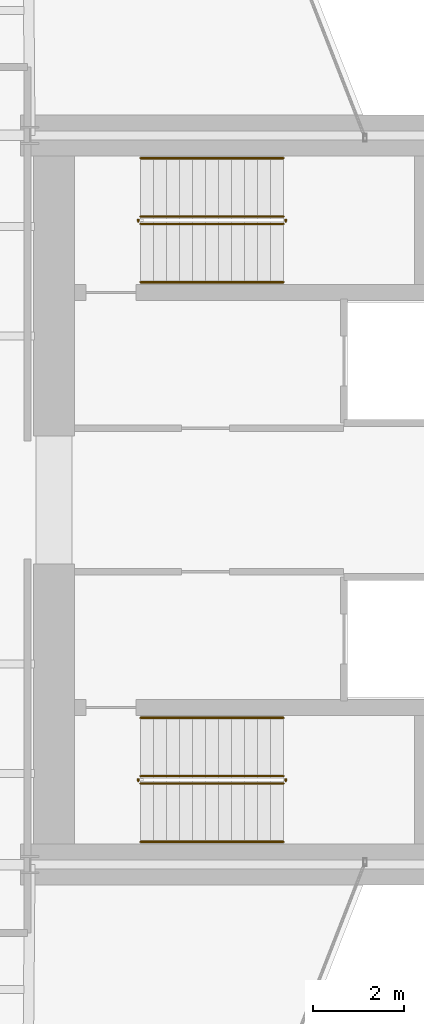
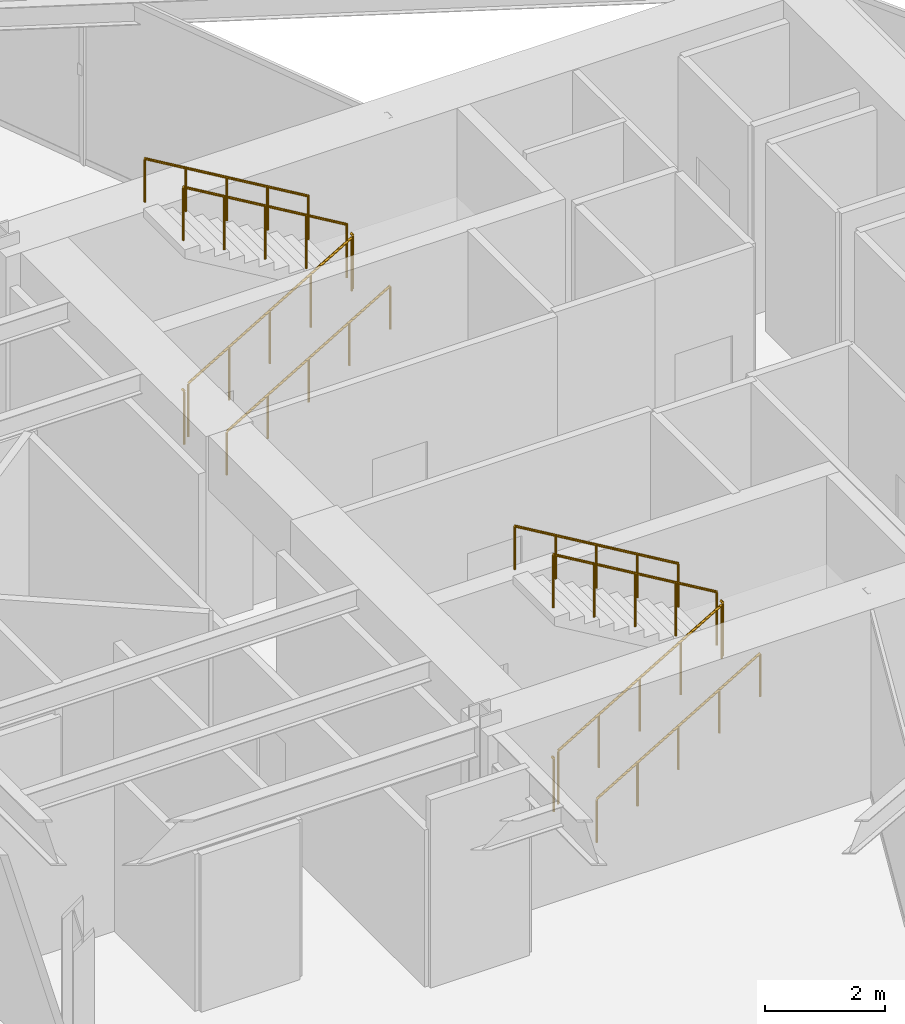
# One storey, part 29 of 29: 12 railings.
"""IFC4 building model written with IfcOpenShell, lengths in metres."""

from ifc_helpers import new_model, si_unit, direction, frame, origin, origin_2d, place, context, subcontext, project, spatial, circle, extrude, material, type_object, element, save


model = new_model("IFC4")

# Units and contexts
model_context = context("Model", 3, precision=1e-05, world=origin(), true_north=direction((0.0, 1.0)))
body_context = subcontext(model_context, "Body", "Model", "MODEL_VIEW")
ifc_project = project(units=[si_unit("LENGTHUNIT", "METRE"), si_unit("AREAUNIT", "SQUARE_METRE"), si_unit("VOLUMEUNIT", "CUBIC_METRE"), si_unit("PLANEANGLEUNIT", "RADIAN"), si_unit("MASSUNIT", "GRAM", prefix="KILO")], contexts=[model_context])

# Site, building, storey
site_placement = place(None, origin())
site = spatial("IfcSite", under=ifc_project, at=site_placement, CompositionType="ELEMENT")
building_placement = place(site_placement, origin())
building = spatial("IfcBuilding", under=site, at=building_placement, Name="Veymaron Broadcast Tower", CompositionType="ELEMENT")
storey_placement = place(building_placement, frame((0.0, 0.0, 58.050048828125)))
storey = spatial("IfcBuildingStorey", under=building, at=storey_placement, Name="L12", CompositionType="ELEMENT", Elevation=58.050048828125)

# Railings
ifc_material_1 = material(Name="Brushed stainless steel AISI 304", Category="steel")
railing_type_1 = type_object("IfcRailingType", Name="RAIL-STAIR-HR", PredefinedType="HANDRAIL", material=ifc_material_1)
railing_1_placement = place(storey_placement, frame((41.429931640625, 28.780029296875, 0.168701171875)))
element("IfcRailing", 1, at=railing_1_placement, inside=storey, type_object=railing_type_1, Name="L12 ST1 stair handrail 1", PredefinedType="HANDRAIL", context=body_context, shape_type="SweptSolid", body=[
    extrude(circle(Radius=0.02392578125, at=origin_2d()), frame((0.0, 0.0, 0.8759765625), z_axis=(0.860481960309, 0.0, 0.509480908359), x_axis=(0.0, 1.0, 0.0)), (0.0, 0.0, 1.0), 3.643310546875),
    extrude(circle(Radius=0.02099609375, at=origin_2d()), origin(), (0.0, 0.0, 1.0), 0.851806640625),
    extrude(circle(Radius=0.02099609375, at=origin_2d()), frame((0.78369140625, 0.0, 0.464111328125)), (0.0, 0.0, 1.0), 0.851806640625),
    extrude(circle(Radius=0.02099609375, at=origin_2d()), frame((1.5673828125, 0.0, 0.92822265625)), (0.0, 0.0, 1.0), 0.851806640625),
    extrude(circle(Radius=0.02099609375, at=origin_2d()), frame((2.351318359375, 0.0, 1.39208984375)), (0.0, 0.0, 1.0), 0.851806640625),
    extrude(circle(Radius=0.02099609375, at=origin_2d()), frame((3.135009765625, 0.0, 1.856201171875)), (0.0, 0.0, 1.0), 0.851806640625),
])
railing_2_placement = place(storey_placement, frame((44.56494140625, 31.5, 2.193603515625)))
element("IfcRailing", 2, at=railing_2_placement, inside=storey, type_object=railing_type_1, Name="L12 ST1 stair handrail 2", PredefinedType="HANDRAIL", context=body_context, shape_type="SweptSolid", body=[
    extrude(circle(Radius=0.02392578125, at=origin_2d()), frame((0.0, 0.0, 0.8759765625), z_axis=(-0.860452582533, 0.0, 0.509530522356), x_axis=(0.0, -1.0, 0.0)), (0.0, 0.0, 1.0), 3.6435546875),
    extrude(circle(Radius=0.02099609375, at=origin_2d()), origin(), (0.0, 0.0, 1.0), 0.851806640625),
    extrude(circle(Radius=0.02099609375, at=origin_2d()), frame((-0.78369140625, 0.0, 0.464111328125)), (0.0, 0.0, 1.0), 0.851806640625),
    extrude(circle(Radius=0.02099609375, at=origin_2d()), frame((-1.5673828125, 0.0, 0.92822265625)), (0.0, 0.0, 1.0), 0.851806640625),
    extrude(circle(Radius=0.02099609375, at=origin_2d()), frame((-2.351318359375, 0.0, 1.392333984375)), (0.0, 0.0, 1.0), 0.851806640625),
    extrude(circle(Radius=0.02099609375, at=origin_2d()), frame((-3.135009765625, 0.0, 1.8564453125)), (0.0, 0.0, 1.0), 0.851806640625),
])
railing_3_placement = place(storey_placement, frame((41.429931640625, 16.5, 0.168701171875)))
element("IfcRailing", 3, at=railing_3_placement, inside=storey, type_object=railing_type_1, Name="L12 ST2 stair handrail 1", PredefinedType="HANDRAIL", context=body_context, shape_type="SweptSolid", body=[
    extrude(circle(Radius=0.02392578125, at=origin_2d()), frame((0.0, 0.0, 0.8759765625), z_axis=(0.860481960309, 0.0, 0.509480908359), x_axis=(0.0, 1.0, 0.0)), (0.0, 0.0, 1.0), 3.643310546875),
    extrude(circle(Radius=0.02099609375, at=origin_2d()), origin(), (0.0, 0.0, 1.0), 0.851806640625),
    extrude(circle(Radius=0.02099609375, at=origin_2d()), frame((0.78369140625, 0.0, 0.464111328125)), (0.0, 0.0, 1.0), 0.851806640625),
    extrude(circle(Radius=0.02099609375, at=origin_2d()), frame((1.5673828125, 0.0, 0.92822265625)), (0.0, 0.0, 1.0), 0.851806640625),
    extrude(circle(Radius=0.02099609375, at=origin_2d()), frame((2.351318359375, 0.0, 1.39208984375)), (0.0, 0.0, 1.0), 0.851806640625),
    extrude(circle(Radius=0.02099609375, at=origin_2d()), frame((3.135009765625, 0.0, 1.856201171875)), (0.0, 0.0, 1.0), 0.851806640625),
])
railing_4_placement = place(storey_placement, frame((44.56494140625, 19.219970703125, 2.193603515625)))
element("IfcRailing", 4, at=railing_4_placement, inside=storey, type_object=railing_type_1, Name="L12 ST2 stair handrail 2", PredefinedType="HANDRAIL", context=body_context, shape_type="SweptSolid", body=[
    extrude(circle(Radius=0.02392578125, at=origin_2d()), frame((0.0, 0.0, 0.8759765625), z_axis=(-0.860452582533, 0.0, 0.509530522356), x_axis=(0.0, -1.0, 0.0)), (0.0, 0.0, 1.0), 3.6435546875),
    extrude(circle(Radius=0.02099609375, at=origin_2d()), origin(), (0.0, 0.0, 1.0), 0.851806640625),
    extrude(circle(Radius=0.02099609375, at=origin_2d()), frame((-0.78369140625, 0.0, 0.464111328125)), (0.0, 0.0, 1.0), 0.851806640625),
    extrude(circle(Radius=0.02099609375, at=origin_2d()), frame((-1.5673828125, 0.0, 0.92822265625)), (0.0, 0.0, 1.0), 0.851806640625),
    extrude(circle(Radius=0.02099609375, at=origin_2d()), frame((-2.351318359375, 0.0, 1.392333984375)), (0.0, 0.0, 1.0), 0.851806640625),
    extrude(circle(Radius=0.02099609375, at=origin_2d()), frame((-3.135009765625, 0.0, 1.8564453125)), (0.0, 0.0, 1.0), 0.851806640625),
])
ifc_material_2 = material(Name="Painted galvanized steel balustrade", Category="steel")
railing_type_2 = type_object("IfcRailingType", Name="RAIL-WELL-GRD", PredefinedType="GUARDRAIL", material=ifc_material_2)
railing_5_placement = place(storey_placement, frame((41.429931640625, 30.06005859375, 0.168701171875)))
element("IfcRailing", 5, at=railing_5_placement, inside=storey, type_object=railing_type_2, Name="L12 ST1 stair guard 1", PredefinedType="GUARDRAIL", context=body_context, shape_type="SweptSolid", body=[
    extrude(circle(Radius=0.02392578125, at=origin_2d()), frame((0.0, 0.0, 1.076171875), z_axis=(0.860481960309, 0.0, 0.509480908359), x_axis=(0.0, 1.0, 0.0)), (0.0, 0.0, 1.0), 3.643310546875),
    extrude(circle(Radius=0.02099609375, at=origin_2d()), origin(), (0.0, 0.0, 1.0), 1.052001953125),
    extrude(circle(Radius=0.02099609375, at=origin_2d()), frame((0.78369140625, 0.0, 0.464111328125)), (0.0, 0.0, 1.0), 1.052001953125),
    extrude(circle(Radius=0.02099609375, at=origin_2d()), frame((1.5673828125, 0.0, 0.92822265625)), (0.0, 0.0, 1.0), 1.052001953125),
    extrude(circle(Radius=0.02099609375, at=origin_2d()), frame((2.351318359375, 0.0, 1.39208984375)), (0.0, 0.0, 1.0), 1.052001953125),
    extrude(circle(Radius=0.02099609375, at=origin_2d()), frame((3.135009765625, 0.0, 1.856201171875)), (0.0, 0.0, 1.0), 1.052001953125),
])
railing_6_placement = place(storey_placement, frame((44.614990234375, 30.110107421875, 2.02490234375)))
element("IfcRailing", 6, at=railing_6_placement, inside=storey, type_object=railing_type_2, Name="L12 ST1 stair guard 2", PredefinedType="GUARDRAIL", context=body_context, shape_type="SweptSolid", body=[
    extrude(circle(Radius=0.02392578125, at=origin_2d()), frame((0.0, 0.0, 1.076171875), z_axis=(0.0, 1.0, 0.0), x_axis=(-1.0, 0.0, 0.0)), (0.0, 0.0, 1.0), 0.059814453125),
    extrude(circle(Radius=0.02099609375, at=origin_2d()), origin(), (0.0, 0.0, 1.0), 1.052001953125),
])
railing_7_placement = place(storey_placement, frame((44.56494140625, 30.219970703125, 2.193603515625)))
element("IfcRailing", 7, at=railing_7_placement, inside=storey, type_object=railing_type_2, Name="L12 ST1 stair guard 3", PredefinedType="GUARDRAIL", context=body_context, shape_type="SweptSolid", body=[
    extrude(circle(Radius=0.02392578125, at=origin_2d()), frame((0.0, 0.0, 1.076171875), z_axis=(-0.860452582533, 0.0, 0.509530522356), x_axis=(0.0, -1.0, 0.0)), (0.0, 0.0, 1.0), 3.6435546875),
    extrude(circle(Radius=0.02099609375, at=origin_2d()), origin(), (0.0, 0.0, 1.0), 1.052001953125),
    extrude(circle(Radius=0.02099609375, at=origin_2d()), frame((-0.78369140625, 0.0, 0.464111328125)), (0.0, 0.0, 1.0), 1.052001953125),
    extrude(circle(Radius=0.02099609375, at=origin_2d()), frame((-1.5673828125, 0.0, 0.92822265625)), (0.0, 0.0, 1.0), 1.052001953125),
    extrude(circle(Radius=0.02099609375, at=origin_2d()), frame((-2.351318359375, 0.0, 1.392333984375)), (0.0, 0.0, 1.0), 1.052001953125),
    extrude(circle(Radius=0.02099609375, at=origin_2d()), frame((-3.135009765625, 0.0, 1.8564453125)), (0.0, 0.0, 1.0), 1.052001953125),
])
railing_8_placement = place(storey_placement, frame((41.3798828125, 30.110107421875, 0.0)))
element("IfcRailing", 8, at=railing_8_placement, inside=storey, type_object=railing_type_2, Name="L12 ST1 stair guard 4", PredefinedType="GUARDRAIL", context=body_context, shape_type="SweptSolid", body=[
    extrude(circle(Radius=0.02392578125, at=origin_2d()), frame((0.0, 0.0, 1.076171875), z_axis=(0.0, 1.0, 0.0), x_axis=(-1.0, 0.0, 0.0)), (0.0, 0.0, 1.0), 0.059814453125),
    extrude(circle(Radius=0.02099609375, at=origin_2d()), origin(), (0.0, 0.0, 1.0), 1.052001953125),
])
railing_9_placement = place(storey_placement, frame((41.429931640625, 17.780029296875, 0.168701171875)))
element("IfcRailing", 9, at=railing_9_placement, inside=storey, type_object=railing_type_2, Name="L12 ST2 stair guard 1", PredefinedType="GUARDRAIL", context=body_context, shape_type="SweptSolid", body=[
    extrude(circle(Radius=0.02392578125, at=origin_2d()), frame((0.0, 0.0, 1.076171875), z_axis=(0.860481960309, 0.0, 0.509480908359), x_axis=(0.0, 1.0, 0.0)), (0.0, 0.0, 1.0), 3.643310546875),
    extrude(circle(Radius=0.02099609375, at=origin_2d()), origin(), (0.0, 0.0, 1.0), 1.052001953125),
    extrude(circle(Radius=0.02099609375, at=origin_2d()), frame((0.78369140625, 0.0, 0.464111328125)), (0.0, 0.0, 1.0), 1.052001953125),
    extrude(circle(Radius=0.02099609375, at=origin_2d()), frame((1.5673828125, 0.0, 0.92822265625)), (0.0, 0.0, 1.0), 1.052001953125),
    extrude(circle(Radius=0.02099609375, at=origin_2d()), frame((2.351318359375, 0.0, 1.39208984375)), (0.0, 0.0, 1.0), 1.052001953125),
    extrude(circle(Radius=0.02099609375, at=origin_2d()), frame((3.135009765625, 0.0, 1.856201171875)), (0.0, 0.0, 1.0), 1.052001953125),
])
railing_10_placement = place(storey_placement, frame((44.614990234375, 17.830078125, 2.02490234375)))
element("IfcRailing", 10, at=railing_10_placement, inside=storey, type_object=railing_type_2, Name="L12 ST2 stair guard 2", PredefinedType="GUARDRAIL", context=body_context, shape_type="SweptSolid", body=[
    extrude(circle(Radius=0.02392578125, at=origin_2d()), frame((0.0, 0.0, 1.076171875), z_axis=(0.0, 1.0, 0.0), x_axis=(-1.0, 0.0, 0.0)), (0.0, 0.0, 1.0), 0.059814453125),
    extrude(circle(Radius=0.02099609375, at=origin_2d()), origin(), (0.0, 0.0, 1.0), 1.052001953125),
])
railing_11_placement = place(storey_placement, frame((44.56494140625, 17.93994140625, 2.193603515625)))
element("IfcRailing", 11, at=railing_11_placement, inside=storey, type_object=railing_type_2, Name="L12 ST2 stair guard 3", PredefinedType="GUARDRAIL", context=body_context, shape_type="SweptSolid", body=[
    extrude(circle(Radius=0.02392578125, at=origin_2d()), frame((0.0, 0.0, 1.076171875), z_axis=(-0.860452582533, 0.0, 0.509530522356), x_axis=(0.0, -1.0, 0.0)), (0.0, 0.0, 1.0), 3.6435546875),
    extrude(circle(Radius=0.02099609375, at=origin_2d()), origin(), (0.0, 0.0, 1.0), 1.052001953125),
    extrude(circle(Radius=0.02099609375, at=origin_2d()), frame((-0.78369140625, 0.0, 0.464111328125)), (0.0, 0.0, 1.0), 1.052001953125),
    extrude(circle(Radius=0.02099609375, at=origin_2d()), frame((-1.5673828125, 0.0, 0.92822265625)), (0.0, 0.0, 1.0), 1.052001953125),
    extrude(circle(Radius=0.02099609375, at=origin_2d()), frame((-2.351318359375, 0.0, 1.392333984375)), (0.0, 0.0, 1.0), 1.052001953125),
    extrude(circle(Radius=0.02099609375, at=origin_2d()), frame((-3.135009765625, 0.0, 1.8564453125)), (0.0, 0.0, 1.0), 1.052001953125),
])
railing_12_placement = place(storey_placement, frame((41.3798828125, 17.830078125, 0.0)))
element("IfcRailing", 12, at=railing_12_placement, inside=storey, type_object=railing_type_2, Name="L12 ST2 stair guard 4", PredefinedType="GUARDRAIL", context=body_context, shape_type="SweptSolid", body=[
    extrude(circle(Radius=0.02392578125, at=origin_2d()), frame((0.0, 0.0, 1.076171875), z_axis=(0.0, 1.0, 0.0), x_axis=(-1.0, 0.0, 0.0)), (0.0, 0.0, 1.0), 0.059814453125),
    extrude(circle(Radius=0.02099609375, at=origin_2d()), origin(), (0.0, 0.0, 1.0), 1.052001953125),
])

save(model, "model.ifc")
